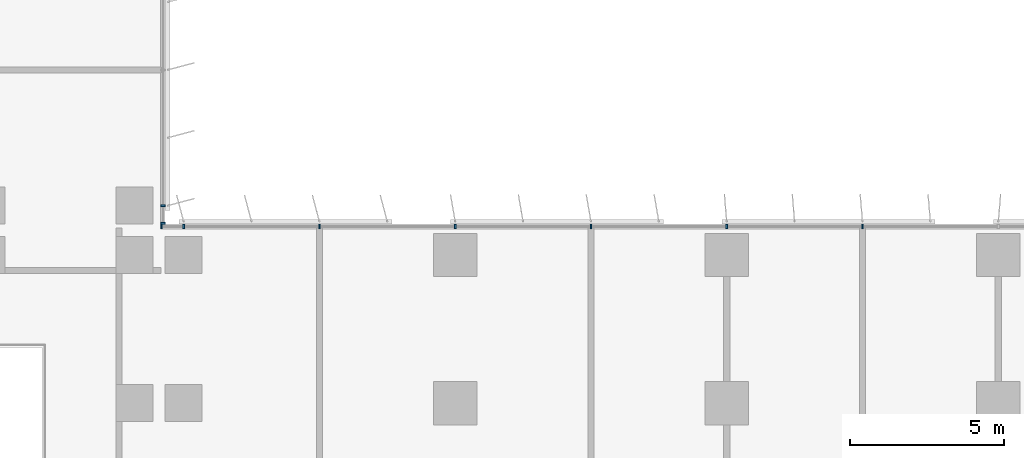
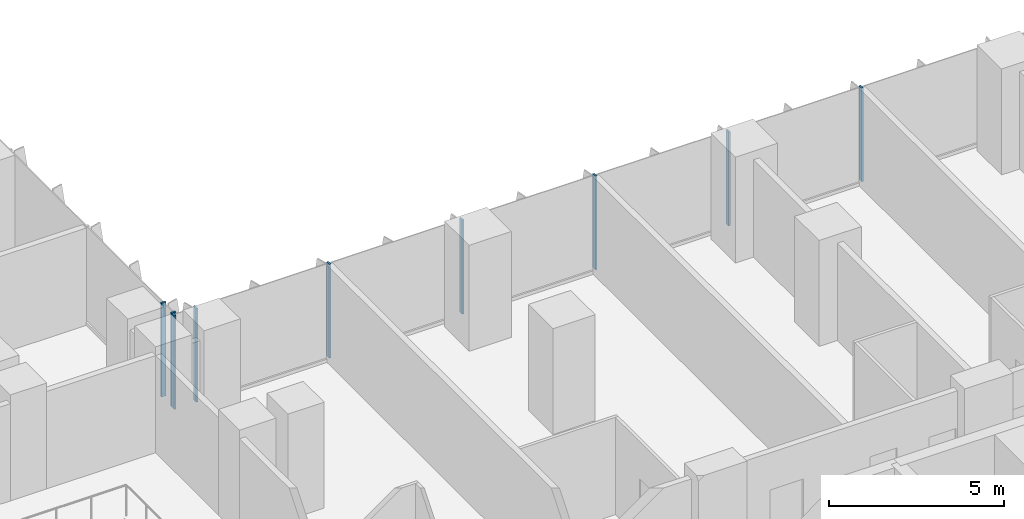
# One storey, part 2 of 24: 9 members, 2 elements without a shape of their own.
"""IFC4 building model written with IfcOpenShell, lengths in metres."""

from ifc_helpers import new_model, si_unit, direction, frame, origin, origin_2d, place, context, subcontext, project, spatial, rectangle, extrude, source, transform, mapped, material, material_profile, profile_set, type_object, element, aggregate, save


model = new_model("IFC4")

# Units and contexts
model_context = context("Model", 3, precision=1e-05, world=origin(), true_north=direction((0.0, 1.0)))
body_context = subcontext(model_context, "Body", "Model", "MODEL_VIEW")
ifc_project = project(units=[si_unit("LENGTHUNIT", "METRE"), si_unit("AREAUNIT", "SQUARE_METRE"), si_unit("VOLUMEUNIT", "CUBIC_METRE"), si_unit("PLANEANGLEUNIT", "RADIAN"), si_unit("MASSUNIT", "GRAM", prefix="KILO")], contexts=[model_context])

# Site, building, storey
site_placement = place(None, origin())
site = spatial("IfcSite", under=ifc_project, at=site_placement, CompositionType="ELEMENT")
building_placement = place(site_placement, origin())
building = spatial("IfcBuilding", under=site, at=building_placement, Name="Kemantara Hotel Tower", CompositionType="ELEMENT")
storey_placement = place(building_placement, frame((0.0, 0.0, 48.800048828125)))
storey = spatial("IfcBuildingStorey", under=building, at=storey_placement, Name="L10", CompositionType="ELEMENT", Elevation=48.800048828125)

# Curtain wall, members
ifc_material_1 = material(Name="Low-E tinted double insulated glass 36 mm", Category="glass")
curtain_wall_type = type_object("IfcCurtainWallType", Name="TOWER CURTAIN WALL, FRONT FACES", PredefinedType="USERDEFINED", material=ifc_material_1)
curtain_wall_1_placement = place(storey_placement, origin())
curtain_wall_1 = element("IfcCurtainWall", 1, at=curtain_wall_1_placement, inside=storey, type_object=curtain_wall_type, Name="CW4 L10 T1-R07-1", ObjectType="TOWER CURTAIN WALL, FRONT FACES", PredefinedType="USERDEFINED")
ifc_material_2 = material(Name="Aluminium 6063-T6 bronze anodised", Category="aluminium")
ifc_material_profile = material_profile(ifc_material_2, rectangle(XDim=0.14990234375, YDim=0.06005859375, at=origin_2d()), Name="TOWER CURTAIN WALL, FRONT FACES MULLION")
ifc_profile_set = profile_set([ifc_material_profile], Name="Aluminium 6063-T6 bronze anodised")
member_type = type_object("IfcMemberType", Name="TOWER CURTAIN WALL, FRONT FACES MULLION", PredefinedType="MULLION", material=ifc_profile_set)
shared_shape = source(origin(), body_context, "Body", "SweptSolid", [
    extrude(rectangle(XDim=0.14990234375, YDim=0.06005859375, at=origin_2d()), origin(), (0.0, 0.0, 1.0), 3.280029296875),
])
member_1_placement = place(storey_placement, frame((49.39990234375, 26.72509765625, 0.119873046875), z_axis=(0.0, 0.0, 1.0), x_axis=(0.0, -1.0, 0.0)))
member_1 = element("IfcMember", 2, at=member_1_placement, type_object=member_type, Name="CW4 mullion T1-R07-1.8", PredefinedType="MULLION", context=body_context, shape_type="MappedRepresentation", body=[
    mapped(shared_shape, transform((0.0, 0.0, 0.0))),
])
member_2_placement = place(storey_placement, frame((45.0, 26.72509765625, 0.119873046875), z_axis=(0.0, 0.0, 1.0), x_axis=(0.0, -1.0, 0.0)))
member_2 = element("IfcMember", 3, at=member_2_placement, type_object=member_type, Name="CW4 mullion T1-R07-1.9", PredefinedType="MULLION", context=body_context, shape_type="MappedRepresentation", body=[
    mapped(shared_shape, transform((0.0, 0.0, 0.0))),
])
member_3_placement = place(storey_placement, frame((40.60009765625, 26.72509765625, 0.119873046875), z_axis=(0.0, 0.0, 1.0), x_axis=(0.0, -1.0, 0.0)))
member_3 = element("IfcMember", 4, at=member_3_placement, type_object=member_type, Name="CW4 mullion T1-R07-1.10", PredefinedType="MULLION", context=body_context, shape_type="MappedRepresentation", body=[
    mapped(shared_shape, transform((0.0, 0.0, 0.0))),
])
member_4_placement = place(storey_placement, frame((36.199951171875, 26.72509765625, 0.119873046875), z_axis=(0.0, 0.0, 1.0), x_axis=(0.0, -1.0, 0.0)))
member_4 = element("IfcMember", 5, at=member_4_placement, type_object=member_type, Name="CW4 mullion T1-R07-1.11", PredefinedType="MULLION", context=body_context, shape_type="MappedRepresentation", body=[
    mapped(shared_shape, transform((0.0, 0.0, 0.0))),
])
member_5_placement = place(storey_placement, frame((31.800048828125, 26.72509765625, 0.119873046875), z_axis=(0.0, 0.0, 1.0), x_axis=(0.0, -1.0, 0.0)))
member_5 = element("IfcMember", 6, at=member_5_placement, type_object=member_type, Name="CW4 mullion T1-R07-1.12", PredefinedType="MULLION", context=body_context, shape_type="MappedRepresentation", body=[
    mapped(shared_shape, transform((0.0, 0.0, 0.0))),
])
member_6_placement = place(storey_placement, frame((27.39990234375, 26.72509765625, 0.119873046875), z_axis=(0.0, 0.0, 1.0), x_axis=(0.0, -1.0, 0.0)))
member_6 = element("IfcMember", 7, at=member_6_placement, type_object=member_type, Name="CW4 mullion T1-R07-1.13", PredefinedType="MULLION", context=body_context, shape_type="MappedRepresentation", body=[
    mapped(shared_shape, transform((0.0, 0.0, 0.0))),
])
member_7_placement = place(storey_placement, frame((26.679931640625, 26.72509765625, 0.119873046875), z_axis=(0.0, 0.0, 1.0), x_axis=(0.0, -1.0, 0.0)))
member_7 = element("IfcMember", 8, at=member_7_placement, type_object=member_type, Name="CW4 mullion T1-R07-1.14", PredefinedType="MULLION", context=body_context, shape_type="MappedRepresentation", body=[
    mapped(shared_shape, transform((0.0, 0.0, 0.0))),
])
aggregate(curtain_wall_1, [member_1, member_2, member_3, member_4, member_5, member_6, member_7])

curtain_wall_2_placement = place(storey_placement, origin())
curtain_wall_2 = element("IfcCurtainWall", 9, at=curtain_wall_2_placement, inside=storey, type_object=curtain_wall_type, Name="CW4 L10 T1-R08-1", ObjectType="TOWER CURTAIN WALL, FRONT FACES", PredefinedType="USERDEFINED")
member_8_placement = place(storey_placement, frame((26.72509765625, 26.830078125, 0.119873046875), z_axis=(0.0, 0.0, 1.0), x_axis=(-1.0, 0.0, 0.0)))
member_8 = element("IfcMember", 10, at=member_8_placement, type_object=member_type, Name="CW4 mullion T1-R08-1.1", PredefinedType="MULLION", context=body_context, shape_type="MappedRepresentation", body=[
    mapped(shared_shape, transform((0.0, 0.0, 0.0))),
])
member_9_placement = place(storey_placement, frame((26.72509765625, 27.39990234375, 0.119873046875), z_axis=(0.0, 0.0, 1.0), x_axis=(-1.0, 0.0, 0.0)))
member_9 = element("IfcMember", 11, at=member_9_placement, type_object=member_type, Name="CW4 mullion T1-R08-1.2", PredefinedType="MULLION", context=body_context, shape_type="MappedRepresentation", body=[
    mapped(shared_shape, transform((0.0, 0.0, 0.0))),
])
aggregate(curtain_wall_2, [member_8, member_9])

save(model, "model.ifc")
